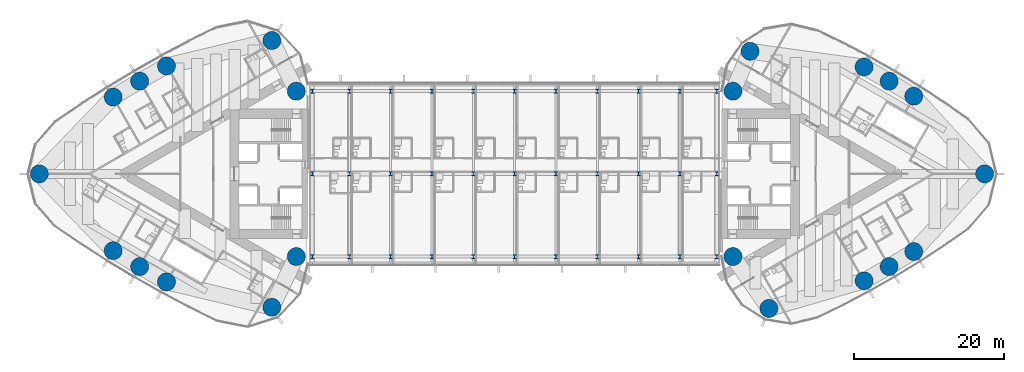
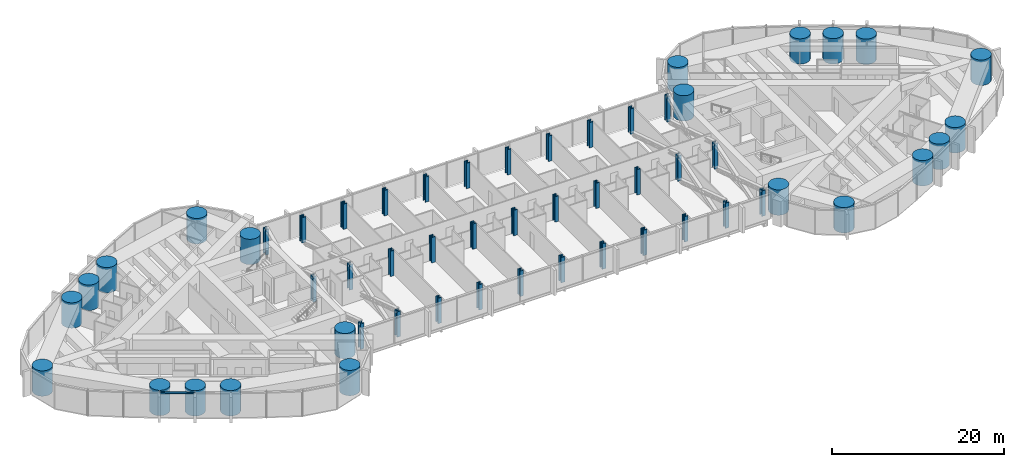
# One storey, part 1 of 23: 55 columns, 1 member, 1 element without a shape of its own.
"""IFC4 building model written with IfcOpenShell, lengths in metres."""

from ifc_helpers import new_model, si_unit, direction, frame, origin, origin_2d, place, context, subcontext, project, spatial, rectangle, circle, i_section, extrude, material, material_profile, profile_set, type_object, element, aggregate, save


model = new_model("IFC4")

# Units and contexts
model_context = context("Model", 3, precision=1e-05, world=origin(), true_north=direction((0.0, 1.0)))
body_context = subcontext(model_context, "Body", "Model", "MODEL_VIEW")
ifc_project = project(units=[si_unit("LENGTHUNIT", "METRE"), si_unit("AREAUNIT", "SQUARE_METRE"), si_unit("VOLUMEUNIT", "CUBIC_METRE"), si_unit("PLANEANGLEUNIT", "RADIAN"), si_unit("MASSUNIT", "GRAM", prefix="KILO")], contexts=[model_context])

# Site, building, storey
site_placement = place(None, origin())
site = spatial("IfcSite", under=ifc_project, at=site_placement, CompositionType="ELEMENT")
building_placement = place(site_placement, origin())
building = spatial("IfcBuilding", under=site, at=building_placement, Name="Lancet Gate Hotel", CompositionType="ELEMENT")
storey_placement = place(building_placement, frame((0.0, 0.0, 218.89990234375)))
storey = spatial("IfcBuildingStorey", under=building, at=storey_placement, Name="L58", CompositionType="ELEMENT", Elevation=218.89990234375)

# Columns
ifc_material_1 = material(Name="Steel S460", Category="steel")
ifc_material_profile_1 = material_profile(ifc_material_1, i_section(OverallWidth=0.47607421875, OverallDepth=0.60009765625, WebThickness=0.10009765625, FlangeThickness=0.139892578125, FilletRadius=0.02001953125, at=origin_2d()), Name="HD 400x1299")
ifc_profile_set_1 = profile_set([ifc_material_profile_1], Name="Steel S460")
column_type_1 = type_object("IfcColumnType", Name="Block column HD 400x1299", PredefinedType="COLUMN", material=ifc_profile_set_1)
for number, where, z_axis, x_axis, name in (
    (1, (-26.89990234375, -11.0, 0.0), (0.0, 0.0, 1.0), (1.0, 0.0, 0.0), "Block column S0 L58"),
    (2, (-22.0, -11.0, 0.0), (0.0, 0.0, 1.0), (1.0, 0.0, 0.0), "Block column S1 L58"),
    (3, (-16.5, -11.0, 0.0), (0.0, 0.0, 1.0), (1.0, 0.0, 0.0), "Block column S2 L58"),
    (4, (-11.0, -11.0, 0.0), (0.0, 0.0, 1.0), (1.0, 0.0, 0.0), "Block column S3 L58"),
    (5, (-5.5, -11.0, 0.0), (0.0, 0.0, 1.0), (1.0, 0.0, 0.0), "Block column S4 L58"),
    (6, (0.0, -11.0, 0.0), (0.0, 0.0, 1.0), (1.0, 0.0, 0.0), "Block column S5 L58"),
    (7, (5.5, -11.0, 0.0), (0.0, 0.0, 1.0), (1.0, 0.0, 0.0), "Block column S6 L58"),
    (8, (11.0, -11.0, 0.0), (0.0, 0.0, 1.0), (1.0, 0.0, 0.0), "Block column S7 L58"),
    (9, (16.5, -11.0, 0.0), (0.0, 0.0, 1.0), (1.0, 0.0, 0.0), "Block column S8 L58"),
    (10, (22.0, -11.0, 0.0), (0.0, 0.0, 1.0), (1.0, 0.0, 0.0), "Block column S9 L58"),
    (11, (26.89990234375, -11.0, 0.0), (0.0, 0.0, 1.0), (1.0, 0.0, 0.0), "Block column S10 L58"),
    (12, (-26.89990234375, 0.0, 0.0), (0.0, 0.0, 1.0), (1.0, 0.0, 0.0), "Block column M0 L58"),
    (13, (-22.0, 0.0, 0.0), (0.0, 0.0, 1.0), (1.0, 0.0, 0.0), "Block column M1 L58"),
    (14, (-16.5, 0.0, 0.0), (0.0, 0.0, 1.0), (1.0, 0.0, 0.0), "Block column M2 L58"),
    (15, (-11.0, 0.0, 0.0), (0.0, 0.0, 1.0), (1.0, 0.0, 0.0), "Block column M3 L58"),
    (16, (-5.5, 0.0, 0.0), (0.0, 0.0, 1.0), (1.0, 0.0, 0.0), "Block column M4 L58"),
    (17, (0.0, 0.0, 0.0), (0.0, 0.0, 1.0), (1.0, 0.0, 0.0), "Block column M5 L58"),
    (18, (5.5, 0.0, 0.0), (0.0, 0.0, 1.0), (1.0, 0.0, 0.0), "Block column M6 L58"),
    (19, (11.0, 0.0, 0.0), (0.0, 0.0, 1.0), (1.0, 0.0, 0.0), "Block column M7 L58"),
    (20, (16.5, 0.0, 0.0), (0.0, 0.0, 1.0), (1.0, 0.0, 0.0), "Block column M8 L58"),
    (21, (22.0, 0.0, 0.0), (0.0, 0.0, 1.0), (1.0, 0.0, 0.0), "Block column M9 L58"),
    (22, (26.89990234375, 0.0, 0.0), (0.0, 0.0, 1.0), (1.0, 0.0, 0.0), "Block column M10 L58"),
    (23, (-26.89990234375, 11.0, 0.0), (0.0, 0.0, 1.0), (1.0, 0.0, 0.0), "Block column N0 L58"),
    (24, (-22.0, 11.0, 0.0), (0.0, 0.0, 1.0), (1.0, 0.0, 0.0), "Block column N1 L58"),
    (25, (-16.5, 11.0, 0.0), (0.0, 0.0, 1.0), (1.0, 0.0, 0.0), "Block column N2 L58"),
    (26, (-11.0, 11.0, 0.0), (0.0, 0.0, 1.0), (1.0, 0.0, 0.0), "Block column N3 L58"),
    (27, (-5.5, 11.0, 0.0), (0.0, 0.0, 1.0), (1.0, 0.0, 0.0), "Block column N4 L58"),
    (28, (0.0, 11.0, 0.0), (0.0, 0.0, 1.0), (1.0, 0.0, 0.0), "Block column N5 L58"),
    (29, (5.5, 11.0, 0.0), (0.0, 0.0, 1.0), (1.0, 0.0, 0.0), "Block column N6 L58"),
    (30, (11.0, 11.0, 0.0), (0.0, 0.0, 1.0), (1.0, 0.0, 0.0), "Block column N7 L58"),
    (31, (16.5, 11.0, 0.0), (0.0, 0.0, 1.0), (1.0, 0.0, 0.0), "Block column N8 L58"),
    (32, (22.0, 11.0, 0.0), (0.0, 0.0, 1.0), (1.0, 0.0, 0.0), "Block column N9 L58"),
    (33, (26.89990234375, 11.0, 0.0), (0.0, 0.0, 1.0), (1.0, 0.0, 0.0), "Block column N10 L58"),
):
    element("IfcColumn", number, at=place(storey_placement, frame(where, z_axis=z_axis, x_axis=x_axis)), inside=storey, type_object=column_type_1, Name=name, PredefinedType="COLUMN", context=body_context, shape_type="SweptSolid", body=[
        extrude(i_section(OverallWidth=0.47607421875, OverallDepth=0.60009765625, WebThickness=0.10009765625, FlangeThickness=0.139892578125, FilletRadius=0.02001953125, at=origin_2d()), origin(), (0.0, 0.0, 1.0), 3.60009765625),
    ])
ifc_material_2 = material(Name="Concrete C50/60", Category="concrete")
ifc_material_profile_2 = material_profile(ifc_material_2, circle(Radius=1.199951171875, at=origin_2d()), Name="RC D2400")
ifc_profile_set_2 = profile_set([ifc_material_profile_2], Name="Concrete C50/60")
column_type_2 = type_object("IfcColumnType", Name="Perimeter column RC D2400", PredefinedType="COLUMN", material=ifc_profile_set_2)
for number, where, z_axis, x_axis, name in (
    (34, (-63.234375, 0.0, 0.0), (0.0, 0.0, 1.0), (1.0, 0.0, 0.0), "T1 column CA L58"),
    (35, (-32.301025390625, -17.745361328125, 0.0), (0.0, 0.0, 1.0), (1.0, 0.0, 0.0), "T1 column CN L58"),
    (36, (-32.301025390625, 17.745361328125, 0.0), (0.0, 0.0, 1.0), (1.0, 0.0, 0.0), "T1 column CS L58"),
    (37, (-29.050048828125, -11.0, 0.0), (0.0, 0.0, 1.0), (1.0, 0.0, 0.0), "T1 column IN L58"),
    (38, (-29.050048828125, 11.0, 0.0), (0.0, 0.0, 1.0), (1.0, 0.0, 0.0), "T1 column IS L58"),
    (39, (-53.40771484375, -10.218994140625, 0.0), (0.0, 0.0, 1.0), (1.0, 0.0, 0.0), "T1 column ON1 L58"),
    (40, (-49.89013671875, -12.340087890625, 0.0), (0.0, 0.0, 1.0), (1.0, 0.0, 0.0), "T1 column ON2 L58"),
    (41, (-46.316650390625, -14.365478515625, 0.0), (0.0, 0.0, 1.0), (1.0, 0.0, 0.0), "T1 column ON3 L58"),
    (42, (-46.316650390625, 14.365478515625, 0.0), (0.0, 0.0, 1.0), (1.0, 0.0, 0.0), "T1 column OS1 L58"),
    (43, (-49.89013671875, 12.340087890625, 0.0), (0.0, 0.0, 1.0), (1.0, 0.0, 0.0), "T1 column OS2 L58"),
    (44, (-53.40771484375, 10.218994140625, 0.0), (0.0, 0.0, 1.0), (1.0, 0.0, 0.0), "T1 column OS3 L58"),
    (45, (62.54150390625, 0.0, 0.0), (0.0, 0.0, 1.0), (1.0, 0.0, 0.0), "T2 column CA L58"),
    (46, (31.328369140625, 16.310791015625, 0.0), (0.0, 0.0, 1.0), (1.0, 0.0, 0.0), "T2 column CN L58"),
    (47, (33.837158203125, -17.906005859375, 0.0), (0.0, 0.0, 1.0), (1.0, 0.0, 0.0), "T2 column CS L58"),
    (48, (29.050048828125, 11.0, 0.0), (0.0, 0.0, 1.0), (1.0, 0.0, 0.0), "T2 column IN L58"),
    (49, (29.050048828125, -11.0, 0.0), (0.0, 0.0, 1.0), (1.0, 0.0, 0.0), "T2 column IS L58"),
    (50, (53.107666015625, 10.333984375, 0.0), (0.0, 0.0, 1.0), (1.0, 0.0, 0.0), "T2 column ON1 L58"),
    (51, (49.833984375, 12.331787109375, 0.0), (0.0, 0.0, 1.0), (1.0, 0.0, 0.0), "T2 column ON2 L58"),
    (52, (46.499267578125, 14.2255859375, 0.0), (0.0, 0.0, 1.0), (1.0, 0.0, 0.0), "T2 column ON3 L58"),
    (53, (46.499267578125, -14.2255859375, 0.0), (0.0, 0.0, 1.0), (1.0, 0.0, 0.0), "T2 column OS1 L58"),
    (54, (49.833984375, -12.331787109375, 0.0), (0.0, 0.0, 1.0), (1.0, 0.0, 0.0), "T2 column OS2 L58"),
    (55, (53.107666015625, -10.333984375, 0.0), (0.0, 0.0, 1.0), (1.0, 0.0, 0.0), "T2 column OS3 L58"),
):
    element("IfcColumn", number, at=place(storey_placement, frame(where, z_axis=z_axis, x_axis=x_axis)), inside=storey, type_object=column_type_2, Name=name, PredefinedType="COLUMN", context=body_context, shape_type="SweptSolid", body=[
        extrude(circle(Radius=1.199951171875, at=origin_2d()), origin(), (0.0, 0.0, 1.0), 3.60009765625),
    ])

# Curtain wall, member
ifc_material_3 = material(Name="Aluminium curtain wall", Category="aluminium")
curtain_wall_type = type_object("IfcCurtainWallType", Name="Tower unitised curtain wall", PredefinedType="USERDEFINED", material=ifc_material_3)
curtain_wall_placement = place(storey_placement, origin())
curtain_wall = element("IfcCurtainWall", 56, at=curtain_wall_placement, inside=storey, type_object=curtain_wall_type, Name="T1 L58 curtain wall 1", ObjectType="UNITISED CURTAIN WALL", PredefinedType="USERDEFINED")
ifc_material_4 = material(Name="Aluminium transom", Category="aluminium")
ifc_material_profile_3 = material_profile(ifc_material_4, rectangle(XDim=0.25, YDim=0.14990234375, at=origin_2d()), Name="TRANSOM 250x150")
ifc_profile_set_3 = profile_set([ifc_material_profile_3], Name="Aluminium transom")
member_type = type_object("IfcMemberType", Name="Aluminium transom 250x150", PredefinedType="USERDEFINED", material=ifc_profile_set_3)
member_placement = place(storey_placement, frame((-54.197998046875, -11.55224609375, 3.525146484375), z_axis=(0.856362214892, -0.516375596737, 0.0), x_axis=(0.516375596737, 0.856362214892, 0.0)))
member = element("IfcMember", 57, at=member_placement, type_object=member_type, Name="T1 L58 curtain wall 1 transom 17", ObjectType="TRANSOM", PredefinedType="USERDEFINED", context=body_context, shape_type="SweptSolid", body=[
    extrude(rectangle(XDim=0.25, YDim=0.14990234375, at=origin_2d()), origin(), (0.0, 0.0, 1.0), 4.08447265625),
])
aggregate(curtain_wall, [member])

save(model, "model.ifc")
